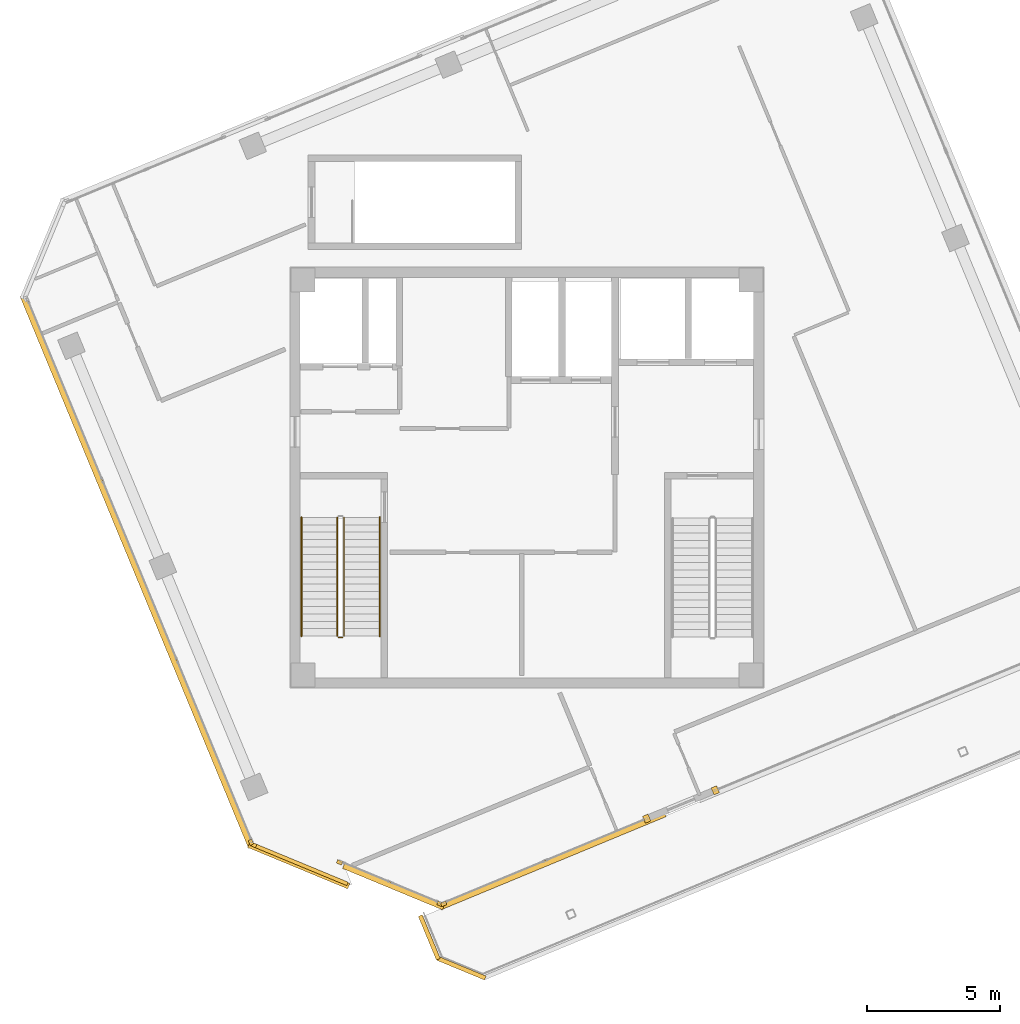
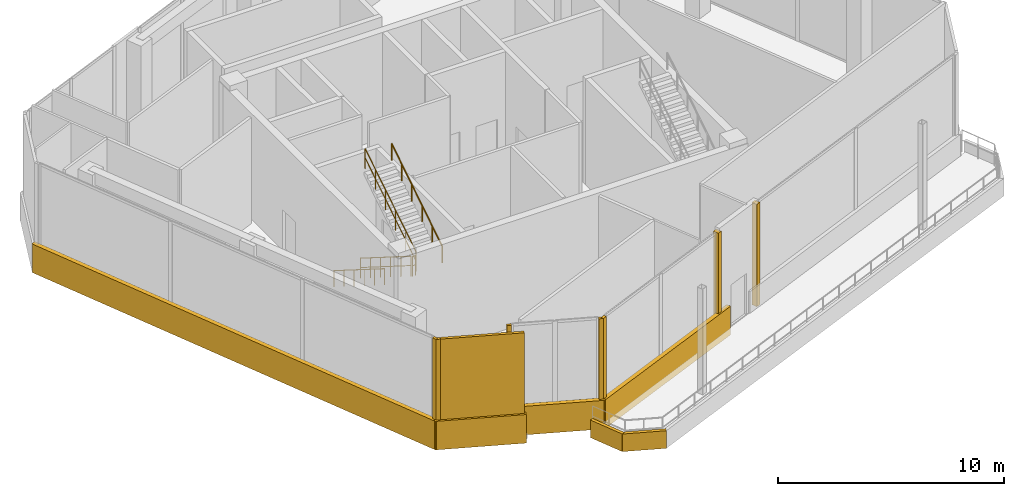
# One storey, part 13 of 16: 14 coverings, 5 railings.
"""IFC4 building model written with IfcOpenShell, lengths in metres."""

from ifc_helpers import new_model, si_unit, direction, frame, origin, origin_2d, place, context, subcontext, project, spatial, rectangle, circle, extrude, source, transform, mapped, material, layer, layer_set, type_object, element, save


model = new_model("IFC4")

# Units and contexts
model_context = context("Model", 3, precision=1e-05, world=origin(), true_north=direction((0.0, 1.0)))
body_context = subcontext(model_context, "Body", "Model", "MODEL_VIEW")
ifc_project = project(units=[si_unit("LENGTHUNIT", "METRE"), si_unit("AREAUNIT", "SQUARE_METRE"), si_unit("VOLUMEUNIT", "CUBIC_METRE"), si_unit("PLANEANGLEUNIT", "RADIAN"), si_unit("MASSUNIT", "GRAM", prefix="KILO")], contexts=[model_context])

# Site, building, storey
site_placement = place(None, origin())
site = spatial("IfcSite", under=ifc_project, at=site_placement, CompositionType="ELEMENT")
building_placement = place(site_placement, origin())
building = spatial("IfcBuilding", under=site, at=building_placement, Name="Torre Montelarca", CompositionType="ELEMENT")
storey_placement = place(building_placement, frame((0.0, 0.0, 360.0)))
storey = spatial("IfcBuildingStorey", under=building, at=storey_placement, Name="L81", CompositionType="ELEMENT", Elevation=360.0)

# Railings
ifc_material_1 = material(Name="Powder-coated steel ASTM A500 Grade C", Category="steel")
railing_type_1 = type_object("IfcRailingType", Name="RL-GUARD-1100", PredefinedType="BALUSTRADE", material=ifc_material_1)
railing_1_placement = place(storey_placement, frame((10.85009765625, 30.5, 0.176513671875)))
element("IfcRailing", 1, at=railing_1_placement, inside=storey, type_object=railing_type_1, Name="L81 ST1 stair guard 1", PredefinedType="BALUSTRADE", context=body_context, shape_type="SweptSolid", body=[
    extrude(circle(Radius=0.02392578125, at=origin_2d()), frame((0.0, 0.0, 1.076171875), z_axis=(0.0, -0.845997938375, 0.533186166611), x_axis=(1.0, 0.0, 0.0)), (0.0, 0.0, 1.0), 5.29541015625),
    extrude(circle(Radius=0.02099609375, at=origin_2d()), frame((0.0, 0.0, 0.572021484375), z_axis=(0.0, -0.845997938375, 0.533186166611), x_axis=(1.0, 0.0, 0.0)), (0.0, 0.0, 1.0), 5.29541015625),
    extrude(circle(Radius=0.02099609375, at=origin_2d()), origin(), (0.0, 0.0, 1.0), 1.052001953125),
    extrude(circle(Radius=0.02099609375, at=origin_2d()), frame((0.0, -0.89599609375, 0.564697265625)), (0.0, 0.0, 1.0), 1.052001953125),
    extrude(circle(Radius=0.02099609375, at=origin_2d()), frame((0.0, -1.7919921875, 1.12939453125)), (0.0, 0.0, 1.0), 1.052001953125),
    extrude(circle(Radius=0.02099609375, at=origin_2d()), frame((0.0, -2.68798828125, 1.694091796875)), (0.0, 0.0, 1.0), 1.052001953125),
    extrude(circle(Radius=0.02099609375, at=origin_2d()), frame((0.0, -3.583984375, 2.2587890625)), (0.0, 0.0, 1.0), 1.052001953125),
    extrude(circle(Radius=0.02099609375, at=origin_2d()), frame((0.0, -4.47998046875, 2.823486328125)), (0.0, 0.0, 1.0), 1.052001953125),
])
railing_2_placement = place(storey_placement, frame((10.89990234375, 25.969970703125, 3.0)))
element("IfcRailing", 2, at=railing_2_placement, inside=storey, type_object=railing_type_1, Name="L81 ST1 stair guard 2", PredefinedType="BALUSTRADE", context=body_context, shape_type="SweptSolid", body=[
    extrude(circle(Radius=0.02392578125, at=origin_2d()), frame((0.0, 0.0, 1.076171875), z_axis=(1.0, 0.0, 0.0), x_axis=(0.0, 1.0, 0.0)), (0.0, 0.0, 1.0), 0.150146484375),
    extrude(circle(Radius=0.02099609375, at=origin_2d()), frame((0.0, 0.0, 0.572021484375), z_axis=(1.0, 0.0, 0.0), x_axis=(0.0, 1.0, 0.0)), (0.0, 0.0, 1.0), 0.150146484375),
    extrude(circle(Radius=0.02099609375, at=origin_2d()), origin(), (0.0, 0.0, 1.0), 1.052001953125),
    extrude(circle(Radius=0.02099609375, at=origin_2d()), frame((0.150146484375, 0.0, 0.0)), (0.0, 0.0, 1.0), 1.052001953125),
])
railing_3_placement = place(storey_placement, frame((11.10009765625, 26.02001953125, 3.176513671875)))
element("IfcRailing", 3, at=railing_3_placement, inside=storey, type_object=railing_type_1, Name="L81 ST1 stair guard 3", PredefinedType="BALUSTRADE", context=body_context, shape_type="SweptSolid", body=[
    extrude(circle(Radius=0.02392578125, at=origin_2d()), frame((0.0, 0.0, 1.076171875), z_axis=(0.0, 0.845997938375, 0.533186166611), x_axis=(-1.0, 0.0, 0.0)), (0.0, 0.0, 1.0), 5.29541015625),
    extrude(circle(Radius=0.02099609375, at=origin_2d()), frame((0.0, 0.0, 0.572021484375), z_axis=(0.0, 0.845997938375, 0.533186166611), x_axis=(-1.0, 0.0, 0.0)), (0.0, 0.0, 1.0), 5.29541015625),
    extrude(circle(Radius=0.02099609375, at=origin_2d()), origin(), (0.0, 0.0, 1.0), 1.052001953125),
    extrude(circle(Radius=0.02099609375, at=origin_2d()), frame((0.0, 0.89599609375, 0.564697265625)), (0.0, 0.0, 1.0), 1.052001953125),
    extrude(circle(Radius=0.02099609375, at=origin_2d()), frame((0.0, 1.7919921875, 1.12939453125)), (0.0, 0.0, 1.0), 1.052001953125),
    extrude(circle(Radius=0.02099609375, at=origin_2d()), frame((0.0, 2.68798828125, 1.694091796875)), (0.0, 0.0, 1.0), 1.052001953125),
    extrude(circle(Radius=0.02099609375, at=origin_2d()), frame((0.0, 3.583984375, 2.2587890625)), (0.0, 0.0, 1.0), 1.052001953125),
    extrude(circle(Radius=0.02099609375, at=origin_2d()), frame((0.0, 4.47998046875, 2.823486328125)), (0.0, 0.0, 1.0), 1.052001953125),
])
ifc_material_2 = material(Name="Brushed stainless steel AISI 316", Category="steel")
railing_type_2 = type_object("IfcRailingType", Name="RL-HANDRAIL-900", PredefinedType="HANDRAIL", material=ifc_material_2)
railing_4_placement = place(storey_placement, frame((9.5, 30.5, 0.176513671875)))
element("IfcRailing", 4, at=railing_4_placement, inside=storey, type_object=railing_type_2, Name="L81 ST1 stair handrail 1", PredefinedType="HANDRAIL", context=body_context, shape_type="SweptSolid", body=[
    extrude(circle(Radius=0.02392578125, at=origin_2d()), frame((0.0, 0.0, 0.8759765625), z_axis=(0.0, -0.845997938375, 0.533186166611), x_axis=(1.0, 0.0, 0.0)), (0.0, 0.0, 1.0), 5.29541015625),
    extrude(circle(Radius=0.02099609375, at=origin_2d()), origin(), (0.0, 0.0, 1.0), 0.851806640625),
    extrude(circle(Radius=0.02099609375, at=origin_2d()), frame((0.0, -0.89599609375, 0.564697265625)), (0.0, 0.0, 1.0), 0.851806640625),
    extrude(circle(Radius=0.02099609375, at=origin_2d()), frame((0.0, -1.7919921875, 1.12939453125)), (0.0, 0.0, 1.0), 0.851806640625),
    extrude(circle(Radius=0.02099609375, at=origin_2d()), frame((0.0, -2.68798828125, 1.694091796875)), (0.0, 0.0, 1.0), 0.851806640625),
    extrude(circle(Radius=0.02099609375, at=origin_2d()), frame((0.0, -3.583984375, 2.2587890625)), (0.0, 0.0, 1.0), 0.851806640625),
    extrude(circle(Radius=0.02099609375, at=origin_2d()), frame((0.0, -4.47998046875, 2.823486328125)), (0.0, 0.0, 1.0), 0.851806640625),
])
railing_5_placement = place(storey_placement, frame((12.449951171875, 26.02001953125, 3.176513671875)))
element("IfcRailing", 5, at=railing_5_placement, inside=storey, type_object=railing_type_2, Name="L81 ST1 stair handrail 2", PredefinedType="HANDRAIL", context=body_context, shape_type="SweptSolid", body=[
    extrude(circle(Radius=0.02392578125, at=origin_2d()), frame((0.0, 0.0, 0.8759765625), z_axis=(0.0, 0.845997938375, 0.533186166611), x_axis=(-1.0, 0.0, 0.0)), (0.0, 0.0, 1.0), 5.29541015625),
    extrude(circle(Radius=0.02099609375, at=origin_2d()), origin(), (0.0, 0.0, 1.0), 0.851806640625),
    extrude(circle(Radius=0.02099609375, at=origin_2d()), frame((0.0, 0.89599609375, 0.564697265625)), (0.0, 0.0, 1.0), 0.851806640625),
    extrude(circle(Radius=0.02099609375, at=origin_2d()), frame((0.0, 1.7919921875, 1.12939453125)), (0.0, 0.0, 1.0), 0.851806640625),
    extrude(circle(Radius=0.02099609375, at=origin_2d()), frame((0.0, 2.68798828125, 1.694091796875)), (0.0, 0.0, 1.0), 0.851806640625),
    extrude(circle(Radius=0.02099609375, at=origin_2d()), frame((0.0, 3.583984375, 2.2587890625)), (0.0, 0.0, 1.0), 0.851806640625),
    extrude(circle(Radius=0.02099609375, at=origin_2d()), frame((0.0, 4.47998046875, 2.823486328125)), (0.0, 0.0, 1.0), 0.851806640625),
])

# Coverings
ifc_material_3 = material(Name="Bush-hammered warm white precast concrete C45/55", Category="concrete")
ifc_layer = layer(ifc_material_3, 0.139892578125, Name="Bush-hammered warm white precast concrete C45/55", Category="concrete")
ifc_layer_set = layer_set([ifc_layer], Name="Bush-hammered warm white precast concrete C45/55")
covering_type = type_object("IfcCoveringType", Name="COV-TRAY-CLAD", PredefinedType="CLADDING", material=ifc_layer_set)
shared_shape_1 = source(origin(), body_context, "Body", "SweptSolid", [
    extrude(rectangle(XDim=0.199951171875, YDim=0.139892578125, at=origin_2d()), origin(), (0.0, 0.0, 1.0), 5.52001953125),
])
for number, where, z_axis, x_axis, name in (
    (6, (7.59423828125, 18.24755859375, 0.0), (0.0, 0.0, 1.0), (0.382683432365, -0.923879532511, 0.0), "L81 Architectural Column Pier Cladding E01-2"),
    (7, (7.697021484375, 18.14501953125, 0.0), (0.0, 0.0, 1.0), (0.923874857082, -0.382694719654, 0.0), "L81 Architectural Column Pier Cladding E02-1"),
    (8, (10.9326171875, 17.493408203125, 0.0), (0.0, 0.0, 1.0), (0.923876192933, -0.38269149472, 0.0), "L81 Architectural Column Pier Cladding E05-1"),
    (9, (14.716552734375, 15.926025390625, 0.0), (0.0, 0.0, 1.0), (0.923876192933, -0.38269149472, 0.0), "L81 Architectural Column Pier Cladding E05-2"),
    (10, (14.86181640625, 15.926025390625, 0.0), (0.0, 0.0, 1.0), (0.923878196688, 0.382686657311, 0.0), "L81 Architectural Column Pier Cladding E06-1"),
):
    element("IfcCovering", number, at=place(storey_placement, frame(where, z_axis=z_axis, x_axis=x_axis)), inside=storey, type_object=covering_type, Name=name, PredefinedType="CLADDING", context=body_context, shape_type="MappedRepresentation", body=[
        mapped(shared_shape_1, transform((0.0, 0.0, 0.0), scale=1.0)),
    ])
shared_shape_2 = source(origin(), body_context, "Body", "SweptSolid", [
    extrude(rectangle(XDim=3.828125, YDim=0.139892578125, at=origin_2d()), origin(), (0.0, 0.0, 1.0), 5.52001953125),
])
covering_1_placement = place(storey_placement, frame((9.46533203125, 17.412353515625, 0.0), z_axis=(0.0, 0.0, 1.0), x_axis=(0.923874857082, -0.382694719654, 0.0)))
element("IfcCovering", 11, at=covering_1_placement, inside=storey, type_object=covering_type, Name="L81 Architectural Column Pier Cladding E02-2", PredefinedType="CLADDING", context=body_context, shape_type="MappedRepresentation", body=[
    mapped(shared_shape_2, transform((0.0, 0.0, 0.0), scale=1.0)),
])
shared_shape_3 = source(origin(), body_context, "Body", "SweptSolid", [
    extrude(rectangle(XDim=0.219970703125, YDim=0.280029296875, at=origin_2d()), origin(), (0.0, 0.0, 1.0), 5.52001953125),
])
for number, where, z_axis, x_axis, name in (
    (12, (22.5146484375, 19.139404296875, 0.0), (0.0, 0.0, 1.0), (0.923878196688, 0.382686657311, 0.0), "L81 Terrace Portal Jamb Closure Mullion E06-A"),
    (13, (25.1015625, 20.210693359375, 0.0), (0.0, 0.0, 1.0), (0.923878196688, 0.382686657311, 0.0), "L81 Terrace Portal Jamb Closure Mullion E06-B"),
):
    element("IfcCovering", number, at=place(storey_placement, frame(where, z_axis=z_axis, x_axis=x_axis)), inside=storey, type_object=covering_type, Name=name, PredefinedType="CLADDING", context=body_context, shape_type="MappedRepresentation", body=[
        mapped(shared_shape_3, transform((0.0, 0.0, 0.0), scale=1.0)),
    ])
shared_shape_4 = source(origin(), body_context, "Body", "SweptSolid", [
    extrude(rectangle(XDim=22.52001953125, YDim=0.219970703125, at=origin_2d()), origin(), (0.0, 0.0, 1.0), 1.5400390625),
])
covering_2_placement = place(storey_placement, frame((3.297119140625, 28.465087890625, -0.3701171875), z_axis=(0.0, 0.0, 1.0), x_axis=(0.382683432365, -0.923879532511, 0.0)))
element("IfcCovering", 14, at=covering_2_placement, inside=storey, type_object=covering_type, Name="L81 Architectural White Spandrel Tray Band OBSRING-01", PredefinedType="CLADDING", context=body_context, shape_type="MappedRepresentation", body=[
    mapped(shared_shape_4, transform((0.0, 0.0, 0.0), scale=1.0)),
])
shared_shape_5 = source(origin(), body_context, "Body", "SweptSolid", [
    extrude(rectangle(XDim=4.079833984375, YDim=0.219970703125, at=origin_2d()), origin(), (0.0, 0.0, 1.0), 1.5400390625),
])
for number, where, z_axis, x_axis, name in (
    (15, (9.396240234375, 17.376220703125, -0.3701171875), (0.0, 0.0, 1.0), (0.923876192933, -0.38269149472, 0.0), "L81 Architectural White Spandrel Tray Band OBSRING-02"),
    (16, (12.971435546875, 16.583984375, -0.3701171875), (0.0, 0.0, 1.0), (0.923876192933, -0.38269149472, 0.0), "L81 Architectural White Spandrel Tray Band OBSRING-05"),
):
    element("IfcCovering", number, at=place(storey_placement, frame(where, z_axis=z_axis, x_axis=x_axis)), inside=storey, type_object=covering_type, Name=name, PredefinedType="CLADDING", context=body_context, shape_type="MappedRepresentation", body=[
        mapped(shared_shape_5, transform((0.0, 0.0, 0.0), scale=1.0)),
    ])
shared_shape_6 = source(origin(), body_context, "Body", "SweptSolid", [
    extrude(rectangle(XDim=9.176025390625, YDim=0.219970703125, at=origin_2d()), origin(), (0.0, 0.0, 1.0), 1.5400390625),
])
covering_3_placement = place(storey_placement, frame((18.9609375, 17.55908203125, -0.3701171875), z_axis=(0.0, 0.0, 1.0), x_axis=(0.923878864601, 0.382685044838, 0.0)))
element("IfcCovering", 17, at=covering_3_placement, inside=storey, type_object=covering_type, Name="L81 Architectural White Spandrel Tray Band OBSRING-06A", PredefinedType="CLADDING", context=body_context, shape_type="MappedRepresentation", body=[
    mapped(shared_shape_6, transform((0.0, 0.0, 0.0), scale=1.0)),
])
shared_shape_7 = source(origin(), body_context, "Body", "SweptSolid", [
    extrude(rectangle(XDim=1.77978515625, YDim=0.159912109375, at=origin_2d()), origin(), (0.0, 0.0, 1.0), 0.949951171875),
])
covering_4_placement = place(storey_placement, frame((14.318359375, 14.661865234375, -0.375), z_axis=(0.0, 0.0, 1.0), x_axis=(0.382664082593, -0.923887547212, 0.0)))
element("IfcCovering", 18, at=covering_4_placement, inside=storey, type_object=covering_type, Name="L81 Architectural White Spandrel Tray Band OBSTER1-01", PredefinedType="CLADDING", context=body_context, shape_type="MappedRepresentation", body=[
    mapped(shared_shape_7, transform((0.0, 0.0, 0.0), scale=1.0)),
])
shared_shape_8 = source(origin(), body_context, "Body", "SweptSolid", [
    extrude(rectangle(XDim=1.95849609375, YDim=0.159912109375, at=origin_2d()), origin(), (0.0, 0.0, 1.0), 0.949951171875),
])
covering_5_placement = place(storey_placement, frame((15.523193359375, 13.50537109375, -0.375), z_axis=(0.0, 0.0, 1.0), x_axis=(0.923876192933, -0.38269149472, 0.0)))
element("IfcCovering", 19, at=covering_5_placement, inside=storey, type_object=covering_type, Name="L81 Architectural White Spandrel Tray Band OBSTER1-02", PredefinedType="CLADDING", context=body_context, shape_type="MappedRepresentation", body=[
    mapped(shared_shape_8, transform((0.0, 0.0, 0.0), scale=1.0)),
])

save(model, "model.ifc")
